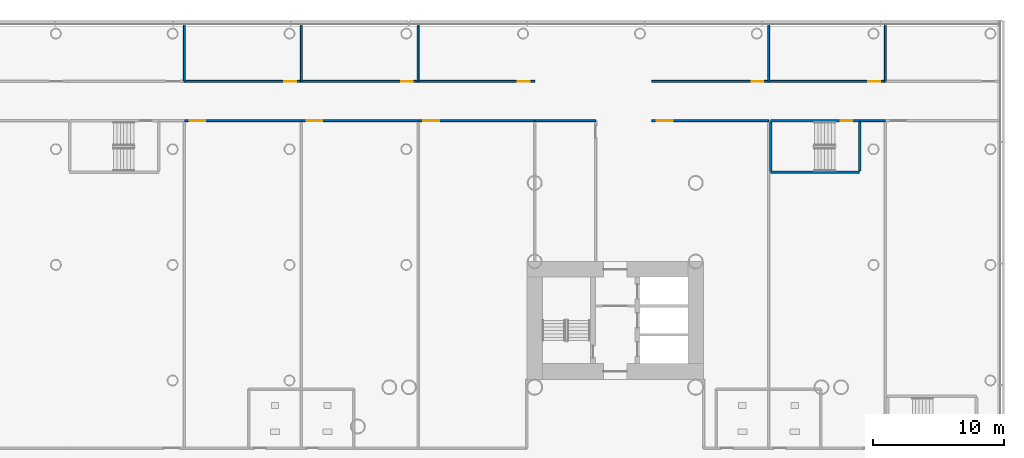
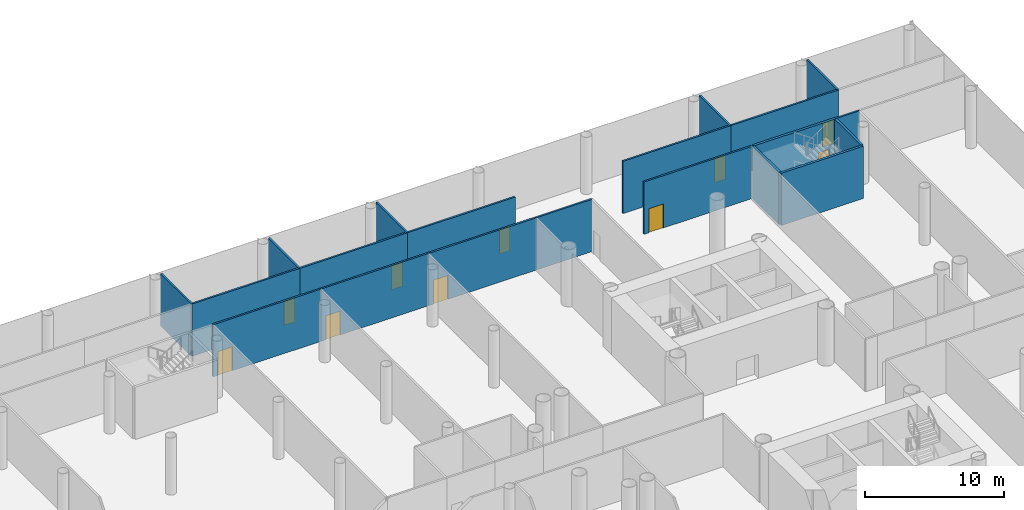
# One storey, part 24 of 59: 20 walls, 10 doors, 10 openings.
"""IFC4 building model written with IfcOpenShell, lengths in metres."""

from ifc_helpers import new_model, si_unit, direction, frame, frame_2d, origin, place, context, subcontext, project, spatial, rectangle, extrude, material, layer, layer_set, type_object, element, fill, save


model = new_model("IFC4")

# Units and contexts
model_context = context("Model", 3, precision=1e-05, world=origin(), true_north=direction((0.0, 1.0)))
body_context = subcontext(model_context, "Body", "Model", "MODEL_VIEW")
ifc_project = project(units=[si_unit("LENGTHUNIT", "METRE"), si_unit("AREAUNIT", "SQUARE_METRE"), si_unit("VOLUMEUNIT", "CUBIC_METRE"), si_unit("PLANEANGLEUNIT", "RADIAN"), si_unit("MASSUNIT", "GRAM", prefix="KILO")], contexts=[model_context])

# Site, building, storey
site_placement = place(None, origin())
site = spatial("IfcSite", under=ifc_project, at=site_placement, CompositionType="ELEMENT")
building_placement = place(site_placement, origin())
building = spatial("IfcBuilding", under=site, at=building_placement, Name="Ipe Terrace Towers", CompositionType="ELEMENT")
storey_placement = place(building_placement, frame((0.0, 0.0, 6.0)))
storey = spatial("IfcBuildingStorey", under=building, at=storey_placement, Name="L01", CompositionType="ELEMENT", Elevation=6.0)

# Wall
ifc_material_1 = material(Name="Gypsum board partition", Category="plasterboard")
ifc_layer_1 = layer(ifc_material_1, 0.14990234375)
ifc_layer_set_1 = layer_set([ifc_layer_1], Name="Gypsum board partition 150 mm")
wall_type_1 = type_object("IfcWallType", Name="Gypsum board partition 150 mm", PredefinedType="PARTITIONING", material=ifc_layer_set_1)
wall_1_placement = place(storey_placement, frame((3.110107421875, 33.85009765625, 0.0), z_axis=(0.0, 0.0, 1.0), x_axis=(0.0, -1.0, 0.0)))
element("IfcWall", 1, at=wall_1_placement, inside=storey, type_object=wall_type_1, Name="Gypsum board partition T2 L01 pd-r29-r35-w3", PredefinedType="PARTITIONING", context=body_context, shape_type="SweptSolid", body=[
    extrude(rectangle(XDim=4.35009765625, YDim=0.14990234375, at=frame_2d((2.175048828125, 0.0))), origin(), (0.0, 0.0, 1.0), 4.580078125),
])

# Wall, opening, door
wall_2_placement = place(storey_placement, frame((3.110107421875, 26.5, 0.0), z_axis=(0.0, 0.0, 1.0), x_axis=(1.0, 0.0, 0.0)))
wall_2 = element("IfcWall", 2, at=wall_2_placement, inside=storey, type_object=wall_type_1, Name="Gypsum board partition T2 L01 pd-r32-w11", PredefinedType="PARTITIONING", context=body_context, shape_type="SweptSolid", body=[
    extrude(rectangle(XDim=8.919921875, YDim=0.14990234375, at=frame_2d((4.4599609375, 0.0))), origin(), (0.0, 0.0, 1.0), 4.580078125),
])
opening_1_placement = place(wall_2_placement, frame((0.39990234375, 0.0, 0.0)))
opening_1 = element("IfcOpeningElement", 3, at=opening_1_placement, cuts=wall_2, Name="Opening PD-L01-r32", PredefinedType="OPENING", context=body_context, shape_type="SweptSolid", body=[
    extrude(rectangle(XDim=1.199951171875, YDim=2.10009765625, at=frame_2d((0.60009765625, 1.050048828125))), frame((0.0, 0.0849609375, 0.0), z_axis=(0.0, -1.0, 0.0), x_axis=(1.0, 0.0, 0.0)), (0.0, 0.0, 1.0), 0.169921875),
])
ifc_material_2 = material(Name="Fire-rated timber door leaf", Category="wood")
door_type_1 = type_object("IfcDoorType", Name="Lounge door 1200 x 2100 FD30S", OperationType="NOTDEFINED", PredefinedType="DOOR", material=ifc_material_2)
door_1_placement = place(opening_1_placement, origin())
door_1 = element("IfcDoor", 4, at=door_1_placement, inside=storey, type_object=door_type_1, Name="Lounge door PD-L01-r32", OperationType="SINGLE_SWING_RIGHT", OverallHeight=2.10009765625, OverallWidth=1.199951171875, PredefinedType="DOOR", context=body_context, shape_type="SweptSolid", body=[
    extrude(rectangle(XDim=1.199951171875, YDim=2.10009765625, at=frame_2d((0.60009765625, 1.050048828125))), frame((0.0, 0.02490234375, 0.0), z_axis=(0.0, -1.0, 0.0), x_axis=(1.0, 0.0, 0.0)), (0.0, 0.0, 1.0), 0.050048828125),
])
fill(opening_1, door_1)

wall_3_placement = place(storey_placement, frame((12.030029296875, 29.5, 0.0), z_axis=(0.0, 0.0, 1.0), x_axis=(-1.0, 0.0, 0.0)))
wall_3 = element("IfcWall", 5, at=wall_3_placement, inside=storey, type_object=wall_type_1, Name="Gypsum board partition T2 L01 pd-r35-w18", PredefinedType="PARTITIONING", context=body_context, shape_type="SweptSolid", body=[
    extrude(rectangle(XDim=8.919921875, YDim=0.14990234375, at=frame_2d((4.4599609375, 0.0))), origin(), (0.0, 0.0, 1.0), 4.580078125),
])
opening_2_placement = place(wall_3_placement, frame((0.39990234375, 0.0, 0.0)))
opening_2 = element("IfcOpeningElement", 6, at=opening_2_placement, cuts=wall_3, Name="Opening PD-L01-r35", PredefinedType="OPENING", context=body_context, shape_type="SweptSolid", body=[
    extrude(rectangle(XDim=0.89990234375, YDim=2.10009765625, at=frame_2d((0.449951171875, 1.050048828125))), frame((0.0, 0.0849609375, 0.0), z_axis=(0.0, -1.0, 0.0), x_axis=(1.0, 0.0, 0.0)), (0.0, 0.0, 1.0), 0.169921875),
])
ifc_material_3 = material(Name="Fire-rated timber door leaf", Category="wood")
door_type_2 = type_object("IfcDoorType", Name="Lounge door 900 x 2100 FD30S", OperationType="NOTDEFINED", PredefinedType="DOOR", material=ifc_material_3)
door_2_placement = place(opening_2_placement, origin())
door_2 = element("IfcDoor", 7, at=door_2_placement, inside=storey, type_object=door_type_2, Name="Lounge door PD-L01-r35", OperationType="SINGLE_SWING_RIGHT", OverallHeight=2.10009765625, OverallWidth=0.89990234375, PredefinedType="DOOR", context=body_context, shape_type="SweptSolid", body=[
    extrude(rectangle(XDim=0.89990234375, YDim=2.10009765625, at=frame_2d((0.449951171875, 1.050048828125))), frame((0.0, 0.02490234375, 0.0), z_axis=(0.0, -1.0, 0.0), x_axis=(1.0, 0.0, 0.0)), (0.0, 0.0, 1.0), 0.050048828125),
])
fill(opening_2, door_2)

# Wall
wall_4_placement = place(storey_placement, frame((12.030029296875, 33.85009765625, 0.0), z_axis=(0.0, 0.0, 1.0), x_axis=(0.0, -1.0, 0.0)))
element("IfcWall", 8, at=wall_4_placement, inside=storey, type_object=wall_type_1, Name="Gypsum board partition T2 L01 pd-r35-r38-w19", PredefinedType="PARTITIONING", context=body_context, shape_type="SweptSolid", body=[
    extrude(rectangle(XDim=4.35009765625, YDim=0.14990234375, at=frame_2d((2.175048828125, 0.0))), origin(), (0.0, 0.0, 1.0), 4.580078125),
])

# Wall, opening, door
wall_5_placement = place(storey_placement, frame((20.949951171875, 29.5, 0.0), z_axis=(0.0, 0.0, 1.0), x_axis=(-1.0, 0.0, 0.0)))
wall_5 = element("IfcWall", 9, at=wall_5_placement, inside=storey, type_object=wall_type_1, Name="Gypsum board partition T2 L01 pd-r38-w25", PredefinedType="PARTITIONING", context=body_context, shape_type="SweptSolid", body=[
    extrude(rectangle(XDim=8.919921875, YDim=0.14990234375, at=frame_2d((4.4599609375, 0.0))), origin(), (0.0, 0.0, 1.0), 4.580078125),
])
opening_3_placement = place(wall_5_placement, frame((0.39990234375, 0.0, 0.0)))
opening_3 = element("IfcOpeningElement", 10, at=opening_3_placement, cuts=wall_5, Name="Opening PD-L01-r38", PredefinedType="OPENING", context=body_context, shape_type="SweptSolid", body=[
    extrude(rectangle(XDim=0.89990234375, YDim=2.10009765625, at=frame_2d((0.449951171875, 1.050048828125))), frame((0.0, 0.0849609375, 0.0), z_axis=(0.0, -1.0, 0.0), x_axis=(1.0, 0.0, 0.0)), (0.0, 0.0, 1.0), 0.169921875),
])
door_3_placement = place(opening_3_placement, origin())
door_3 = element("IfcDoor", 11, at=door_3_placement, inside=storey, type_object=door_type_2, Name="Lounge door PD-L01-r38", OperationType="SINGLE_SWING_RIGHT", OverallHeight=2.10009765625, OverallWidth=0.89990234375, PredefinedType="DOOR", context=body_context, shape_type="SweptSolid", body=[
    extrude(rectangle(XDim=0.89990234375, YDim=2.10009765625, at=frame_2d((0.449951171875, 1.050048828125))), frame((0.0, 0.02490234375, 0.0), z_axis=(0.0, -1.0, 0.0), x_axis=(1.0, 0.0, 0.0)), (0.0, 0.0, 1.0), 0.050048828125),
])
fill(opening_3, door_3)

# Wall
wall_6_placement = place(storey_placement, frame((20.949951171875, 33.85009765625, 0.0), z_axis=(0.0, 0.0, 1.0), x_axis=(0.0, -1.0, 0.0)))
element("IfcWall", 12, at=wall_6_placement, inside=storey, type_object=wall_type_1, Name="Gypsum board partition T2 L01 pd-r38-r43-w26", PredefinedType="PARTITIONING", context=body_context, shape_type="SweptSolid", body=[
    extrude(rectangle(XDim=4.35009765625, YDim=0.14990234375, at=frame_2d((2.175048828125, 0.0))), origin(), (0.0, 0.0, 1.0), 4.580078125),
])

# Wall, opening, door
wall_7_placement = place(storey_placement, frame((12.030029296875, 26.5, 0.0), z_axis=(0.0, 0.0, 1.0), x_axis=(1.0, 0.0, 0.0)))
wall_7 = element("IfcWall", 13, at=wall_7_placement, inside=storey, type_object=wall_type_1, Name="Gypsum board partition T2 L01 pd-r39-w27", PredefinedType="PARTITIONING", context=body_context, shape_type="SweptSolid", body=[
    extrude(rectangle(XDim=8.919921875, YDim=0.14990234375, at=frame_2d((4.4599609375, 0.0))), origin(), (0.0, 0.0, 1.0), 4.580078125),
])
opening_4_placement = place(wall_7_placement, frame((0.39990234375, 0.0, 0.0)))
opening_4 = element("IfcOpeningElement", 14, at=opening_4_placement, cuts=wall_7, Name="Opening PD-L01-r39", PredefinedType="OPENING", context=body_context, shape_type="SweptSolid", body=[
    extrude(rectangle(XDim=1.199951171875, YDim=2.10009765625, at=frame_2d((0.60009765625, 1.050048828125))), frame((0.0, 0.0849609375, 0.0), z_axis=(0.0, -1.0, 0.0), x_axis=(1.0, 0.0, 0.0)), (0.0, 0.0, 1.0), 0.169921875),
])
door_4_placement = place(opening_4_placement, origin())
door_4 = element("IfcDoor", 15, at=door_4_placement, inside=storey, type_object=door_type_1, Name="Lounge door PD-L01-r39", OperationType="SINGLE_SWING_RIGHT", OverallHeight=2.10009765625, OverallWidth=1.199951171875, PredefinedType="DOOR", context=body_context, shape_type="SweptSolid", body=[
    extrude(rectangle(XDim=1.199951171875, YDim=2.10009765625, at=frame_2d((0.60009765625, 1.050048828125))), frame((0.0, 0.02490234375, 0.0), z_axis=(0.0, -1.0, 0.0), x_axis=(1.0, 0.0, 0.0)), (0.0, 0.0, 1.0), 0.050048828125),
])
fill(opening_4, door_4)

wall_8_placement = place(storey_placement, frame((20.949951171875, 26.5, 0.0), z_axis=(0.0, 0.0, 1.0), x_axis=(1.0, 0.0, 0.0)))
wall_8 = element("IfcWall", 16, at=wall_8_placement, inside=storey, type_object=wall_type_1, Name="Gypsum board partition T2 L01 pd-r41-w34", PredefinedType="PARTITIONING", context=body_context, shape_type="SweptSolid", body=[
    extrude(rectangle(XDim=8.920166015625, YDim=0.14990234375, at=frame_2d((4.4599609375, 0.0))), origin(), (0.0, 0.0, 1.0), 4.580078125),
])
opening_5_placement = place(wall_8_placement, frame((0.39990234375, 0.0, 0.0)))
opening_5 = element("IfcOpeningElement", 17, at=opening_5_placement, cuts=wall_8, Name="Opening PD-L01-r41", PredefinedType="OPENING", context=body_context, shape_type="SweptSolid", body=[
    extrude(rectangle(XDim=1.199951171875, YDim=2.10009765625, at=frame_2d((0.60009765625, 1.050048828125))), frame((0.0, 0.0849609375, 0.0), z_axis=(0.0, -1.0, 0.0), x_axis=(1.0, 0.0, 0.0)), (0.0, 0.0, 1.0), 0.169921875),
])
door_5_placement = place(opening_5_placement, origin())
door_5 = element("IfcDoor", 18, at=door_5_placement, inside=storey, type_object=door_type_1, Name="Lounge door PD-L01-r41", OperationType="SINGLE_SWING_RIGHT", OverallHeight=2.10009765625, OverallWidth=1.199951171875, PredefinedType="DOOR", context=body_context, shape_type="SweptSolid", body=[
    extrude(rectangle(XDim=1.199951171875, YDim=2.10009765625, at=frame_2d((0.60009765625, 1.050048828125))), frame((0.0, 0.02490234375, 0.0), z_axis=(0.0, -1.0, 0.0), x_axis=(1.0, 0.0, 0.0)), (0.0, 0.0, 1.0), 0.050048828125),
])
fill(opening_5, door_5)

wall_9_placement = place(storey_placement, frame((29.8701171875, 29.5, 0.0), z_axis=(0.0, 0.0, 1.0), x_axis=(-1.0, 0.0, 0.0)))
wall_9 = element("IfcWall", 19, at=wall_9_placement, inside=storey, type_object=wall_type_1, Name="Gypsum board partition T2 L01 pd-r43-w40", PredefinedType="PARTITIONING", context=body_context, shape_type="SweptSolid", body=[
    extrude(rectangle(XDim=8.920166015625, YDim=0.14990234375, at=frame_2d((4.4599609375, 0.0))), origin(), (0.0, 0.0, 1.0), 4.580078125),
])
opening_6_placement = place(wall_9_placement, frame((0.39990234375, 0.0, 0.0)))
opening_6 = element("IfcOpeningElement", 20, at=opening_6_placement, cuts=wall_9, Name="Opening PD-L01-r43", PredefinedType="OPENING", context=body_context, shape_type="SweptSolid", body=[
    extrude(rectangle(XDim=0.89990234375, YDim=2.10009765625, at=frame_2d((0.449951171875, 1.050048828125))), frame((0.0, 0.0849609375, 0.0), z_axis=(0.0, -1.0, 0.0), x_axis=(1.0, 0.0, 0.0)), (0.0, 0.0, 1.0), 0.169921875),
])
door_6_placement = place(opening_6_placement, origin())
door_6 = element("IfcDoor", 21, at=door_6_placement, inside=storey, type_object=door_type_2, Name="Lounge door PD-L01-r43", OperationType="SINGLE_SWING_RIGHT", OverallHeight=2.10009765625, OverallWidth=0.89990234375, PredefinedType="DOOR", context=body_context, shape_type="SweptSolid", body=[
    extrude(rectangle(XDim=0.89990234375, YDim=2.10009765625, at=frame_2d((0.449951171875, 1.050048828125))), frame((0.0, 0.02490234375, 0.0), z_axis=(0.0, -1.0, 0.0), x_axis=(1.0, 0.0, 0.0)), (0.0, 0.0, 1.0), 0.050048828125),
])
fill(opening_6, door_6)

# Wall
wall_10_placement = place(storey_placement, frame((29.8701171875, 26.5, 0.0), z_axis=(0.0, 0.0, 1.0), x_axis=(1.0, 0.0, 0.0)))
element("IfcWall", 22, at=wall_10_placement, inside=storey, type_object=wall_type_1, Name="Gypsum board partition T2 L01 pd-r46-w46", PredefinedType="PARTITIONING", context=body_context, shape_type="SweptSolid", body=[
    extrude(rectangle(XDim=4.6298828125, YDim=0.14990234375, at=frame_2d((2.31494140625, 0.0))), origin(), (0.0, 0.0, 1.0), 4.580078125),
])

# Wall, opening, door
wall_11_placement = place(storey_placement, frame((47.7099609375, 29.5, 0.0), z_axis=(0.0, 0.0, 1.0), x_axis=(-1.0, 0.0, 0.0)))
wall_11 = element("IfcWall", 23, at=wall_11_placement, inside=storey, type_object=wall_type_1, Name="Gypsum board partition T2 L01 pd-r48-w49", PredefinedType="PARTITIONING", context=body_context, shape_type="SweptSolid", body=[
    extrude(rectangle(XDim=8.919921875, YDim=0.14990234375, at=frame_2d((4.4599609375, 0.0))), origin(), (0.0, 0.0, 1.0), 4.580078125),
])
opening_7_placement = place(wall_11_placement, frame((0.39990234375, 0.0, 0.0)))
opening_7 = element("IfcOpeningElement", 24, at=opening_7_placement, cuts=wall_11, Name="Opening PD-L01-r48", PredefinedType="OPENING", context=body_context, shape_type="SweptSolid", body=[
    extrude(rectangle(XDim=0.89990234375, YDim=2.10009765625, at=frame_2d((0.449951171875, 1.050048828125))), frame((0.0, 0.0849609375, 0.0), z_axis=(0.0, -1.0, 0.0), x_axis=(1.0, 0.0, 0.0)), (0.0, 0.0, 1.0), 0.169921875),
])
door_7_placement = place(opening_7_placement, origin())
door_7 = element("IfcDoor", 25, at=door_7_placement, inside=storey, type_object=door_type_2, Name="Lounge door PD-L01-r48", OperationType="SINGLE_SWING_RIGHT", OverallHeight=2.10009765625, OverallWidth=0.89990234375, PredefinedType="DOOR", context=body_context, shape_type="SweptSolid", body=[
    extrude(rectangle(XDim=0.89990234375, YDim=2.10009765625, at=frame_2d((0.449951171875, 1.050048828125))), frame((0.0, 0.02490234375, 0.0), z_axis=(0.0, -1.0, 0.0), x_axis=(1.0, 0.0, 0.0)), (0.0, 0.0, 1.0), 0.050048828125),
])
fill(opening_7, door_7)

# Wall
wall_12_placement = place(storey_placement, frame((47.7099609375, 33.85009765625, 0.0), z_axis=(0.0, 0.0, 1.0), x_axis=(0.0, -1.0, 0.0)))
element("IfcWall", 26, at=wall_12_placement, inside=storey, type_object=wall_type_1, Name="Gypsum board partition T2 L01 pd-r48-r52-w50", PredefinedType="PARTITIONING", context=body_context, shape_type="SweptSolid", body=[
    extrude(rectangle(XDim=4.35009765625, YDim=0.14990234375, at=frame_2d((2.175048828125, 0.0))), origin(), (0.0, 0.0, 1.0), 4.580078125),
])

# Wall, opening, door
wall_13_placement = place(storey_placement, frame((38.7900390625, 26.5, 0.0), z_axis=(0.0, 0.0, 1.0), x_axis=(1.0, 0.0, 0.0)))
wall_13 = element("IfcWall", 27, at=wall_13_placement, inside=storey, type_object=wall_type_1, Name="Gypsum board partition T2 L01 pd-r49-w53", PredefinedType="PARTITIONING", context=body_context, shape_type="SweptSolid", body=[
    extrude(rectangle(XDim=8.919921875, YDim=0.14990234375, at=frame_2d((4.4599609375, 0.0))), origin(), (0.0, 0.0, 1.0), 4.580078125),
])
opening_8_placement = place(wall_13_placement, frame((0.39990234375, 0.0, 0.0)))
opening_8 = element("IfcOpeningElement", 28, at=opening_8_placement, cuts=wall_13, Name="Opening PD-L01-r49", PredefinedType="OPENING", context=body_context, shape_type="SweptSolid", body=[
    extrude(rectangle(XDim=1.199951171875, YDim=2.10009765625, at=frame_2d((0.60009765625, 1.050048828125))), frame((0.0, 0.0849609375, 0.0), z_axis=(0.0, -1.0, 0.0), x_axis=(1.0, 0.0, 0.0)), (0.0, 0.0, 1.0), 0.169921875),
])
door_8_placement = place(opening_8_placement, origin())
door_8 = element("IfcDoor", 29, at=door_8_placement, inside=storey, type_object=door_type_1, Name="Lounge door PD-L01-r49", OperationType="SINGLE_SWING_RIGHT", OverallHeight=2.10009765625, OverallWidth=1.199951171875, PredefinedType="DOOR", context=body_context, shape_type="SweptSolid", body=[
    extrude(rectangle(XDim=1.199951171875, YDim=2.10009765625, at=frame_2d((0.60009765625, 1.050048828125))), frame((0.0, 0.02490234375, 0.0), z_axis=(0.0, -1.0, 0.0), x_axis=(1.0, 0.0, 0.0)), (0.0, 0.0, 1.0), 0.050048828125),
])
fill(opening_8, door_8)

wall_14_placement = place(storey_placement, frame((56.6298828125, 29.5, 0.0), z_axis=(0.0, 0.0, 1.0), x_axis=(-1.0, 0.0, 0.0)))
wall_14 = element("IfcWall", 30, at=wall_14_placement, inside=storey, type_object=wall_type_1, Name="Gypsum board partition T2 L01 pd-r52-w61", PredefinedType="PARTITIONING", context=body_context, shape_type="SweptSolid", body=[
    extrude(rectangle(XDim=8.919921875, YDim=0.14990234375, at=frame_2d((4.4599609375, 0.0))), origin(), (0.0, 0.0, 1.0), 4.580078125),
])
opening_9_placement = place(wall_14_placement, frame((0.39990234375, 0.0, 0.0)))
opening_9 = element("IfcOpeningElement", 31, at=opening_9_placement, cuts=wall_14, Name="Opening PD-L01-r52", PredefinedType="OPENING", context=body_context, shape_type="SweptSolid", body=[
    extrude(rectangle(XDim=0.89990234375, YDim=2.10009765625, at=frame_2d((0.449951171875, 1.050048828125))), frame((0.0, 0.0849609375, 0.0), z_axis=(0.0, -1.0, 0.0), x_axis=(1.0, 0.0, 0.0)), (0.0, 0.0, 1.0), 0.169921875),
])
door_9_placement = place(opening_9_placement, origin())
door_9 = element("IfcDoor", 32, at=door_9_placement, inside=storey, type_object=door_type_2, Name="Lounge door PD-L01-r52", OperationType="SINGLE_SWING_RIGHT", OverallHeight=2.10009765625, OverallWidth=0.89990234375, PredefinedType="DOOR", context=body_context, shape_type="SweptSolid", body=[
    extrude(rectangle(XDim=0.89990234375, YDim=2.10009765625, at=frame_2d((0.449951171875, 1.050048828125))), frame((0.0, 0.02490234375, 0.0), z_axis=(0.0, -1.0, 0.0), x_axis=(1.0, 0.0, 0.0)), (0.0, 0.0, 1.0), 0.050048828125),
])
fill(opening_9, door_9)

# Walls
wall_15_placement = place(storey_placement, frame((56.6298828125, 33.85009765625, 0.0), z_axis=(0.0, 0.0, 1.0), x_axis=(0.0, -1.0, 0.0)))
element("IfcWall", 33, at=wall_15_placement, inside=storey, type_object=wall_type_1, Name="Gypsum board partition T2 L01 pd-r52-r57-w62", PredefinedType="PARTITIONING", context=body_context, shape_type="SweptSolid", body=[
    extrude(rectangle(XDim=4.35009765625, YDim=0.14990234375, at=frame_2d((2.175048828125, 0.0))), origin(), (0.0, 0.0, 1.0), 4.580078125),
])
wall_16_placement = place(storey_placement, frame((54.669921875, 26.5, 0.0), z_axis=(0.0, 0.0, 1.0), x_axis=(1.0, 0.0, 0.0)))
element("IfcWall", 34, at=wall_16_placement, inside=storey, type_object=wall_type_1, Name="Gypsum board partition T2 L01 pd-r54-w66", PredefinedType="PARTITIONING", context=body_context, shape_type="SweptSolid", body=[
    extrude(rectangle(XDim=1.9599609375, YDim=0.14990234375, at=frame_2d((0.97998046875, 0.0))), origin(), (0.0, 0.0, 1.0), 4.580078125),
])

# Wall, opening, door
ifc_material_4 = material(Name="Concrete C40/50", Category="concrete")
ifc_layer_2 = layer(ifc_material_4, 0.199951171875)
ifc_layer_set_2 = layer_set([ifc_layer_2], Name="RW200 PODIUM STAIR SHAFT WALL 200 C40-50")
wall_type_2 = type_object("IfcWallType", Name="RW200 PODIUM STAIR SHAFT WALL 200 C40-50", PredefinedType="SHEAR", material=ifc_layer_set_2)
wall_17_placement = place(storey_placement, frame((47.8701171875, 26.5, 0.0), z_axis=(0.0, 0.0, 1.0), x_axis=(1.0, 0.0, 0.0)))
wall_17 = element("IfcWall", 35, at=wall_17_placement, inside=storey, type_object=wall_type_2, Name="Stair shaft wall T2 L01 ps3-c", PredefinedType="SHEAR", context=body_context, shape_type="SweptSolid", body=[
    extrude(rectangle(XDim=6.7998046875, YDim=0.199951171875, at=frame_2d((3.39990234375, 0.0))), origin(), (0.0, 0.0, 1.0), 4.580078125),
])
opening_10_placement = place(wall_17_placement, frame((5.35009765625, 0.0, 0.0)))
opening_10 = element("IfcOpeningElement", 36, at=opening_10_placement, cuts=wall_17, Name="Opening PS3-SD", PredefinedType="OPENING", context=body_context, shape_type="SweptSolid", body=[
    extrude(rectangle(XDim=0.89990234375, YDim=2.10009765625, at=frame_2d((0.449951171875, 1.050048828125))), frame((0.0, 0.10986328125, 0.0), z_axis=(0.0, -1.0, 0.0), x_axis=(1.0, 0.0, 0.0)), (0.0, 0.0, 1.0), 0.219970703125),
])
ifc_material_5 = material(Name="Fire-rated timber door leaf", Category="wood")
door_type_3 = type_object("IfcDoorType", Name="Stair door 900 x 2100 FD60", OperationType="NOTDEFINED", PredefinedType="DOOR", material=ifc_material_5)
door_10_placement = place(opening_10_placement, origin())
door_10 = element("IfcDoor", 37, at=door_10_placement, inside=storey, type_object=door_type_3, Name="Stair door PS3-SD", OperationType="SINGLE_SWING_LEFT", OverallHeight=2.10009765625, OverallWidth=0.89990234375, PredefinedType="DOOR", context=body_context, shape_type="SweptSolid", body=[
    extrude(rectangle(XDim=0.89990234375, YDim=2.10009765625, at=frame_2d((0.449951171875, 1.050048828125))), frame((0.0, 0.02490234375, 0.0), z_axis=(0.0, -1.0, 0.0), x_axis=(1.0, 0.0, 0.0)), (0.0, 0.0, 1.0), 0.050048828125),
])
fill(opening_10, door_10)

# Walls
wall_18_placement = place(storey_placement, frame((47.8701171875, 22.550048828125, 0.0), z_axis=(0.0, 0.0, 1.0), x_axis=(1.0, 0.0, 0.0)))
element("IfcWall", 38, at=wall_18_placement, inside=storey, type_object=wall_type_2, Name="Stair shaft wall T2 L01 ps3-f", PredefinedType="SHEAR", context=body_context, shape_type="SweptSolid", body=[
    extrude(rectangle(XDim=6.7998046875, YDim=0.199951171875, at=frame_2d((3.39990234375, 0.0))), origin(), (0.0, 0.0, 1.0), 4.580078125),
])
for number, where, z_axis, x_axis, name in (
    (39, (47.8701171875, 22.64990234375, 0.0), (0.0, 0.0, 1.0), (0.0, 1.0, 0.0), "Stair shaft wall T2 L01 ps3-w"),
    (40, (54.669921875, 22.64990234375, 0.0), (0.0, 0.0, 1.0), (0.0, 1.0, 0.0), "Stair shaft wall T2 L01 ps3-e"),
):
    element("IfcWall", number, at=place(storey_placement, frame(where, z_axis=z_axis, x_axis=x_axis)), inside=storey, type_object=wall_type_2, Name=name, PredefinedType="SHEAR", context=body_context, shape_type="SweptSolid", body=[
        extrude(rectangle(XDim=3.75, YDim=0.199951171875, at=frame_2d((1.875, 0.0))), origin(), (0.0, 0.0, 1.0), 4.580078125),
    ])

save(model, "model.ifc")
